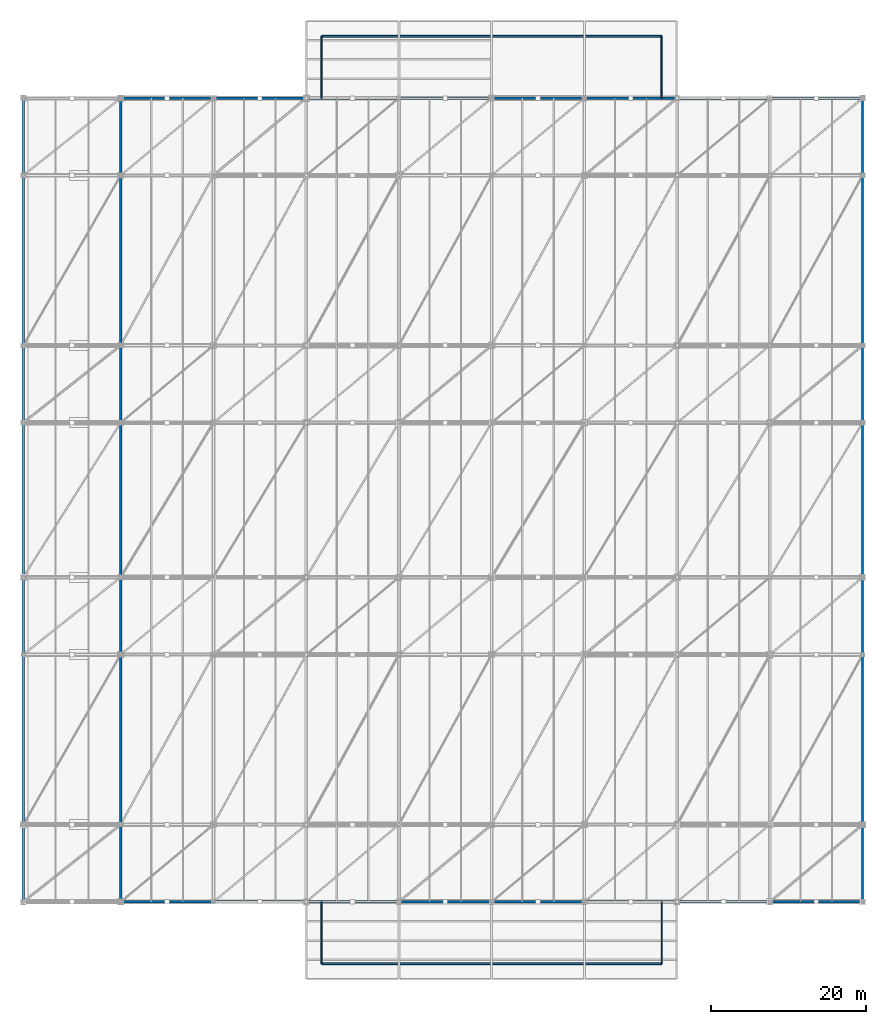
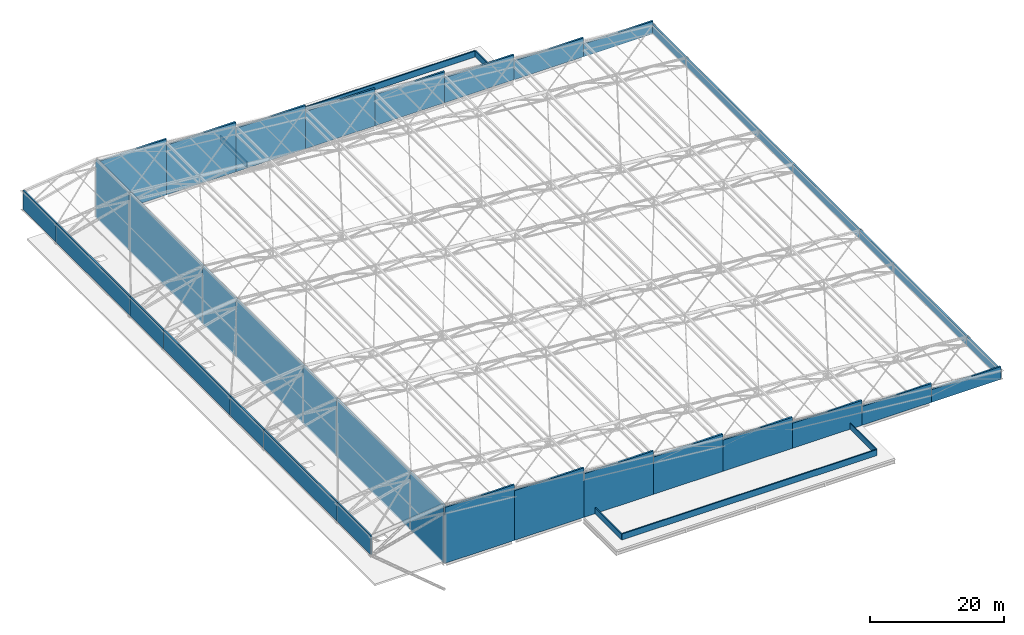
# One storey, part 43 of 44: 43 walls.
"""IFC4 building model written with IfcOpenShell, lengths in metres."""

import ifcopenshell
import ifcopenshell.guid

model = None  # the IFC model being written
_history = None  # IfcOwnerHistory: only IFC2X3 demands one
_inside = {}  # id of a spatial element -> (the spatial element, [elements in it])
_under = {}  # id of a project, library or spatial element -> (it, [spatial elements below it])
_declared = {}  # id of a project -> (the project, [libraries it declares])
_typed = {}  # id of a type object -> (the type object, [elements of that type])
_made_of = {}  # id of a material, layer set ... -> (it, [elements and type objects made of it])


def new_model(schema):
    """Start an empty IFC model of exactly this schema.

    Asked for "IFC4X3", IfcOpenShell would pick the latest addendum, in which some entities
    have other attributes; the version numbers below select the first issue.
    IFC2X3 requires an IfcOwnerHistory on every rooted entity: one is made here for all.
    """
    global model, _history
    if schema == "IFC4X3":
        model = ifcopenshell.file(schema_version=(4, 3, 0, 0))
    else:
        model = ifcopenshell.file(schema=schema)
    _inside.clear()
    _under.clear()
    _declared.clear()
    _typed.clear()
    _made_of.clear()
    _history = None
    if model.schema == "IFC2X3":
        org = make("IfcOrganization", Name="unknown")
        user = make(
            "IfcPersonAndOrganization",
            ThePerson=make("IfcPerson", FamilyName="unknown"),
            TheOrganization=org,
        )
        app = make(
            "IfcApplication",
            ApplicationDeveloper=org,
            Version="unknown",
            ApplicationFullName="unknown",
            ApplicationIdentifier="unknown",
        )
        _history = make(
            "IfcOwnerHistory",
            OwningUser=user,
            OwningApplication=app,
            ChangeAction="ADDED",
            CreationDate=0,
        )
    return model


def make(cls, **values):
    """One entity of the class cls with the attributes given. An attribute that is None is left unset."""
    return model.create_entity(
        cls, **{name: value for name, value in values.items() if value is not None}
    )


def rooted(cls, **values):
    """An entity with a GlobalId (a new one), such as an element, a storey or a relation."""
    return make(cls, GlobalId=ifcopenshell.guid.new(), OwnerHistory=_history, **values)


def si_unit(unit_type, name, prefix=None):
    """IfcSIUnit, for example si_unit("LENGTHUNIT", "METRE", prefix="MILLI")."""
    return make("IfcSIUnit", UnitType=unit_type, Prefix=prefix, Name=name)


def assignment(units):
    """IfcUnitAssignment: the units of a project."""
    return None if units is None else make("IfcUnitAssignment", Units=units)


def point(xyz):
    """IfcCartesianPoint."""
    return None if xyz is None else make("IfcCartesianPoint", Coordinates=xyz)


def direction(xyz):
    """IfcDirection."""
    return None if xyz is None else make("IfcDirection", DirectionRatios=xyz)


def frame(location, z_axis=None, x_axis=None):
    """IfcAxis2Placement3D, a coordinate frame: its origin and axes. An axis left out is left unset."""
    return make(
        "IfcAxis2Placement3D",
        Location=point(location),
        Axis=direction(z_axis),
        RefDirection=direction(x_axis),
    )


def frame_2d(location, x_axis=None):
    """IfcAxis2Placement2D, a coordinate frame in the plane: its origin and x axis."""
    return make(
        "IfcAxis2Placement2D", Location=point(location), RefDirection=direction(x_axis)
    )


def origin():
    """The frame at (0, 0, 0) with its axes left unset."""
    return frame((0.0, 0.0, 0.0))


def place(relative_to, where):
    """IfcLocalPlacement: puts the frame where relative to a parent placement (None: the world)."""
    return make(
        "IfcLocalPlacement", PlacementRelTo=relative_to, RelativePlacement=where
    )


def context(
    kind, dimensions, precision=None, world=None, true_north=None, identifier=None
):
    """IfcGeometricRepresentationContext, for example the 3D "Model" context."""
    return make(
        "IfcGeometricRepresentationContext",
        ContextIdentifier=identifier,
        ContextType=kind,
        CoordinateSpaceDimension=dimensions,
        Precision=precision,
        WorldCoordinateSystem=world,
        TrueNorth=true_north,
    )


def subcontext(parent, identifier, kind, view, scale=None):
    """IfcGeometricRepresentationSubContext, for example "Body" below "Model"."""
    return make(
        "IfcGeometricRepresentationSubContext",
        ContextIdentifier=identifier,
        ContextType=kind,
        ParentContext=parent,
        TargetScale=scale,
        TargetView=view,
    )


def project(units=None, contexts=None):
    """IfcProject with its units and contexts."""
    return rooted(
        "IfcProject",
        Name="project",
        RepresentationContexts=contexts,
        UnitsInContext=assignment(units),
    )


def spatial(cls, under=None, at=None, **own):
    """A site, building, storey or space (cls), placed at a placement, below another one or the project."""
    s = rooted(cls, ObjectPlacement=at, **own)
    if under is not None:
        _under.setdefault(under.id(), (under, []))[1].append(s)
    return s


def profile(cls, at=None, kind="AREA", **sizes):
    """A parametric profile (cls). Its sizes go by their IFC names, for example OverallWidth=200.0."""
    return make(cls, ProfileType=kind, Position=at, **sizes)


def rectangle(**sizes):
    """IfcRectangleProfileDef."""
    return profile("IfcRectangleProfileDef", **sizes)


def extrude(swept, where, along, depth):
    """IfcExtrudedAreaSolid: the profile swept, set in the frame where, extruded along a direction by depth."""
    return make(
        "IfcExtrudedAreaSolid",
        SweptArea=swept,
        Position=where,
        ExtrudedDirection=direction(along),
        Depth=depth,
    )


def shape(context_of_items, identifier, shape_type, items):
    """IfcShapeRepresentation: the items that make up one representation, for example the "Body"."""
    return make(
        "IfcShapeRepresentation",
        ContextOfItems=context_of_items,
        RepresentationIdentifier=identifier,
        RepresentationType=shape_type,
        Items=items,
    )


def material(Name=None, Category=None):
    """IfcMaterial."""
    return make("IfcMaterial", Name=Name, Category=Category)


def layer(
    of_material, thickness, ventilated=None, Name=None, Category=None, Priority=None
):
    """IfcMaterialLayer: one layer of a wall or slab, of a material (None: an air gap)."""
    return make(
        "IfcMaterialLayer",
        Material=of_material,
        LayerThickness=thickness,
        IsVentilated=ventilated,
        Name=Name,
        Category=Category,
        Priority=Priority,
    )


def layer_set(layers, Name=None):
    """IfcMaterialLayerSet."""
    return make("IfcMaterialLayerSet", MaterialLayers=layers, LayerSetName=Name)


def made_of(thing, what):
    """Note that an element or type object is made of a material, layer set ...; save() writes the relation."""
    if what is not None:
        _made_of.setdefault(what.id(), (what, []))[1].append(thing)
    return thing


def type_object(cls, material=None, **own):
    """A type object (cls), such as IfcWallType, which elements share."""
    return made_of(rooted(cls, **own), material)


def element(
    cls,
    number,
    at=None,
    inside=None,
    cuts=None,
    type_object=None,
    material=None,
    context=None,
    identifier="Body",
    shape_type=None,
    held_by="IfcProductDefinitionShape",
    body=None,
    shapes=None,
    **own,
):
    """One element of the class cls, such as IfcWall. Its Tag is "e" and its number.

    at: its placement. inside: the storey or other place that contains it. cuts: it is an
    opening in that element (IfcRelVoidsElement). A single representation is given by context,
    identifier, shape_type and body (its items); several are given by shapes. held_by: the class
    of the entity that holds the representations. save() writes the other relations.
    """
    e = rooted(cls, Tag="e%d" % number, ObjectPlacement=at, **own)
    if body is not None:
        shapes = [shape(context, identifier, shape_type, body)]
    if shapes is not None:
        e.Representation = make(held_by, Representations=shapes)
    if inside is not None:
        _inside.setdefault(inside.id(), (inside, []))[1].append(e)
    if cuts is not None:
        rooted(
            "IfcRelVoidsElement", RelatingBuildingElement=cuts, RelatedOpeningElement=e
        )
    if type_object is not None:
        _typed.setdefault(type_object.id(), (type_object, []))[1].append(e)
    return made_of(e, material)


def aggregate(whole, parts):
    """IfcRelAggregates: a whole, such as a stair, and the parts it consists of."""
    return rooted("IfcRelAggregates", RelatingObject=whole, RelatedObjects=parts)


def save(model, path):
    """Write the relations noted so far, then the file.

    IfcRelAggregates (storeys below a building ...), IfcRelContainedInSpatialStructure (elements
    in a storey), IfcRelDefinesByType, IfcRelAssociatesMaterial and IfcRelDeclares: one each for
    every whole, place, type object, material and project.
    """
    for whole, parts in _under.values():
        aggregate(whole, parts)
    for where, things in _inside.values():
        rooted(
            "IfcRelContainedInSpatialStructure",
            RelatedElements=things,
            RelatingStructure=where,
        )
    for kind, things in _typed.values():
        rooted("IfcRelDefinesByType", RelatedObjects=things, RelatingType=kind)
    for what, things in _made_of.values():
        rooted("IfcRelAssociatesMaterial", RelatedObjects=things, RelatingMaterial=what)
    for by, libraries in _declared.values():
        rooted("IfcRelDeclares", RelatingContext=by, RelatedDefinitions=libraries)
    model.write(path)


model = new_model("IFC4")

# Units and contexts
model_context = context("Model", 3, precision=1e-05, world=origin(), true_north=direction((0.0, 1.0)))
body_context = subcontext(model_context, "Body", "Model", "MODEL_VIEW")
ifc_project = project(units=[si_unit("LENGTHUNIT", "METRE"), si_unit("AREAUNIT", "SQUARE_METRE"), si_unit("VOLUMEUNIT", "CUBIC_METRE"), si_unit("PLANEANGLEUNIT", "RADIAN"), si_unit("MASSUNIT", "GRAM", prefix="KILO")], contexts=[model_context])

# Site, building, storey
site_placement = place(None, origin())
site = spatial("IfcSite", under=ifc_project, at=site_placement, CompositionType="ELEMENT")
building_placement = place(site_placement, origin())
building = spatial("IfcBuilding", under=site, at=building_placement, Name="Brinegate Civic Arena", CompositionType="ELEMENT")
storey_placement = place(building_placement, frame((0.0, 0.0, 29.39990234375)))
storey = spatial("IfcBuildingStorey", under=building, at=storey_placement, Name="RF", CompositionType="ELEMENT", Elevation=29.39990234375)

# Walls
ifc_material_1 = material(Name="Precast concrete C45/55", Category="concrete")
ifc_layer_1 = layer(ifc_material_1, 0.27001953125, Name="Precast concrete C45/55")
ifc_layer_set_1 = layer_set([ifc_layer_1], Name="Precast concrete C45/55")
wall_type_1 = type_object("IfcWallType", Name="WALL-EXT-PRECAST-270", PredefinedType="SOLIDWALL", material=ifc_layer_set_1)
wall_1_placement = place(storey_placement, frame((47.39990234375, 10.0, 5.9501953125), z_axis=(0.0, 0.0, 1.0), x_axis=(0.0, 1.0, 0.0)))
element("IfcWall", 1, at=wall_1_placement, inside=storey, type_object=wall_type_1, Name="Space-Frame Crown Wall EW-RF-WTIP-1 (WBA-45)", PredefinedType="SOLIDWALL", context=body_context, shape_type="SweptSolid", body=[
    extrude(rectangle(XDim=10.0, YDim=0.27001953125, at=frame_2d((5.0, 0.0))), origin(), (0.0, 0.0, 1.0), 3.449951171875),
])
wall_2_placement = place(storey_placement, frame((156.0, 10.0, 0.150146484375), z_axis=(0.0, 0.0, 1.0), x_axis=(0.0, 1.0, 0.0)))
element("IfcWall", 2, at=wall_2_placement, inside=storey, type_object=wall_type_1, Name="Space-Frame Crown Wall EW-RF-EDRM-1 (WBA-47)", PredefinedType="SOLIDWALL", context=body_context, shape_type="SweptSolid", body=[
    extrude(rectangle(XDim=10.0, YDim=0.27001953125, at=frame_2d((5.0, 0.0))), origin(), (0.0, 0.0, 1.0), 1.599853515625),
])
wall_3_placement = place(storey_placement, frame((47.39990234375, 20.0, 5.9501953125), z_axis=(0.0, 0.0, 1.0), x_axis=(0.0, 1.0, 0.0)))
element("IfcWall", 3, at=wall_3_placement, inside=storey, type_object=wall_type_1, Name="Space-Frame Crown Wall EW-RF-WTIP-2 (WBA-49)", PredefinedType="SOLIDWALL", context=body_context, shape_type="SweptSolid", body=[
    extrude(rectangle(XDim=22.0, YDim=0.27001953125, at=frame_2d((11.0, 0.0))), origin(), (0.0, 0.0, 1.0), 3.449951171875),
])
wall_4_placement = place(storey_placement, frame((156.0, 20.0, 0.150146484375), z_axis=(0.0, 0.0, 1.0), x_axis=(0.0, 1.0, 0.0)))
element("IfcWall", 4, at=wall_4_placement, inside=storey, type_object=wall_type_1, Name="Space-Frame Crown Wall EW-RF-EDRM-2 (WBA-51)", PredefinedType="SOLIDWALL", context=body_context, shape_type="SweptSolid", body=[
    extrude(rectangle(XDim=22.0, YDim=0.27001953125, at=frame_2d((11.0, 0.0))), origin(), (0.0, 0.0, 1.0), 1.599853515625),
])
wall_5_placement = place(storey_placement, frame((47.39990234375, 42.0, 5.9501953125), z_axis=(0.0, 0.0, 1.0), x_axis=(0.0, 1.0, 0.0)))
element("IfcWall", 5, at=wall_5_placement, inside=storey, type_object=wall_type_1, Name="Space-Frame Crown Wall EW-RF-WTIP-3 (WBA-53)", PredefinedType="SOLIDWALL", context=body_context, shape_type="SweptSolid", body=[
    extrude(rectangle(XDim=10.0, YDim=0.27001953125, at=frame_2d((5.0, 0.0))), origin(), (0.0, 0.0, 1.0), 3.449951171875),
])
wall_6_placement = place(storey_placement, frame((156.0, 42.0, 0.150146484375), z_axis=(0.0, 0.0, 1.0), x_axis=(0.0, 1.0, 0.0)))
element("IfcWall", 6, at=wall_6_placement, inside=storey, type_object=wall_type_1, Name="Space-Frame Crown Wall EW-RF-EDRM-3 (WBA-55)", PredefinedType="SOLIDWALL", context=body_context, shape_type="SweptSolid", body=[
    extrude(rectangle(XDim=10.0, YDim=0.27001953125, at=frame_2d((5.0, 0.0))), origin(), (0.0, 0.0, 1.0), 1.599853515625),
])
wall_7_placement = place(storey_placement, frame((47.39990234375, 52.0, 5.9501953125), z_axis=(0.0, 0.0, 1.0), x_axis=(0.0, 1.0, 0.0)))
element("IfcWall", 7, at=wall_7_placement, inside=storey, type_object=wall_type_1, Name="Space-Frame Crown Wall EW-RF-WTIP-4 (WBA-57)", PredefinedType="SOLIDWALL", context=body_context, shape_type="SweptSolid", body=[
    extrude(rectangle(XDim=20.0, YDim=0.27001953125, at=frame_2d((10.0, 0.0))), origin(), (0.0, 0.0, 1.0), 3.449951171875),
])
wall_8_placement = place(storey_placement, frame((156.0, 52.0, 0.150146484375), z_axis=(0.0, 0.0, 1.0), x_axis=(0.0, 1.0, 0.0)))
element("IfcWall", 8, at=wall_8_placement, inside=storey, type_object=wall_type_1, Name="Space-Frame Crown Wall EW-RF-EDRM-4 (WBA-59)", PredefinedType="SOLIDWALL", context=body_context, shape_type="SweptSolid", body=[
    extrude(rectangle(XDim=20.0, YDim=0.27001953125, at=frame_2d((10.0, 0.0))), origin(), (0.0, 0.0, 1.0), 1.599853515625),
])
wall_9_placement = place(storey_placement, frame((47.39990234375, 72.0, 5.9501953125), z_axis=(0.0, 0.0, 1.0), x_axis=(0.0, 1.0, 0.0)))
element("IfcWall", 9, at=wall_9_placement, inside=storey, type_object=wall_type_1, Name="Space-Frame Crown Wall EW-RF-WTIP-5 (WBA-61)", PredefinedType="SOLIDWALL", context=body_context, shape_type="SweptSolid", body=[
    extrude(rectangle(XDim=10.0, YDim=0.27001953125, at=frame_2d((5.0, 0.0))), origin(), (0.0, 0.0, 1.0), 3.449951171875),
])
wall_10_placement = place(storey_placement, frame((156.0, 72.0, 0.150146484375), z_axis=(0.0, 0.0, 1.0), x_axis=(0.0, 1.0, 0.0)))
element("IfcWall", 10, at=wall_10_placement, inside=storey, type_object=wall_type_1, Name="Space-Frame Crown Wall EW-RF-EDRM-5 (WBA-63)", PredefinedType="SOLIDWALL", context=body_context, shape_type="SweptSolid", body=[
    extrude(rectangle(XDim=10.0, YDim=0.27001953125, at=frame_2d((5.0, 0.0))), origin(), (0.0, 0.0, 1.0), 1.599853515625),
])
wall_11_placement = place(storey_placement, frame((47.39990234375, 82.0, 5.9501953125), z_axis=(0.0, 0.0, 1.0), x_axis=(0.0, 1.0, 0.0)))
element("IfcWall", 11, at=wall_11_placement, inside=storey, type_object=wall_type_1, Name="Space-Frame Crown Wall EW-RF-WTIP-6 (WBA-65)", PredefinedType="SOLIDWALL", context=body_context, shape_type="SweptSolid", body=[
    extrude(rectangle(XDim=22.0, YDim=0.27001953125, at=frame_2d((11.0, 0.0))), origin(), (0.0, 0.0, 1.0), 3.449951171875),
])
wall_12_placement = place(storey_placement, frame((156.0, 82.0, 0.150146484375), z_axis=(0.0, 0.0, 1.0), x_axis=(0.0, 1.0, 0.0)))
element("IfcWall", 12, at=wall_12_placement, inside=storey, type_object=wall_type_1, Name="Space-Frame Crown Wall EW-RF-EDRM-6 (WBA-67)", PredefinedType="SOLIDWALL", context=body_context, shape_type="SweptSolid", body=[
    extrude(rectangle(XDim=22.0, YDim=0.27001953125, at=frame_2d((11.0, 0.0))), origin(), (0.0, 0.0, 1.0), 1.599853515625),
])
wall_13_placement = place(storey_placement, frame((47.39990234375, 104.0, 5.9501953125), z_axis=(0.0, 0.0, 1.0), x_axis=(0.0, 1.0, 0.0)))
element("IfcWall", 13, at=wall_13_placement, inside=storey, type_object=wall_type_1, Name="Space-Frame Crown Wall EW-RF-WTIP-7 (WBA-69)", PredefinedType="SOLIDWALL", context=body_context, shape_type="SweptSolid", body=[
    extrude(rectangle(XDim=10.0, YDim=0.27001953125, at=frame_2d((5.0, 0.0))), origin(), (0.0, 0.0, 1.0), 3.449951171875),
])
wall_14_placement = place(storey_placement, frame((156.0, 104.0, 0.150146484375), z_axis=(0.0, 0.0, 1.0), x_axis=(0.0, 1.0, 0.0)))
element("IfcWall", 14, at=wall_14_placement, inside=storey, type_object=wall_type_1, Name="Space-Frame Crown Wall EW-RF-EDRM-7 (WBA-71)", PredefinedType="SOLIDWALL", context=body_context, shape_type="SweptSolid", body=[
    extrude(rectangle(XDim=10.0, YDim=0.27001953125, at=frame_2d((5.0, 0.0))), origin(), (0.0, 0.0, 1.0), 1.599853515625),
])
ifc_layer_2 = layer(ifc_material_1, 0.300048828125, Name="Precast concrete C45/55")
ifc_layer_set_2 = layer_set([ifc_layer_2], Name="Precast concrete C45/55")
wall_type_2 = type_object("IfcWallType", Name="WALL-EXT-PRECAST-300", PredefinedType="SOLIDWALL", material=ifc_layer_set_2)
wall_15_placement = place(storey_placement, frame((60.0, 10.0, 0.0), z_axis=(0.0, 0.0, 1.0), x_axis=(0.0, 1.0, 0.0)))
element("IfcWall", 15, at=wall_15_placement, inside=storey, type_object=wall_type_2, Name="Space-Frame Crown Wall EW-RF-WDRM-1 (WBA-46)", PredefinedType="SOLIDWALL", context=body_context, shape_type="SweptSolid", body=[
    extrude(rectangle(XDim=10.0, YDim=0.300048828125, at=frame_2d((5.0, 0.0))), origin(), (0.0, 0.0, 1.0), 10.60009765625),
])
wall_16_placement = place(storey_placement, frame((60.0, 20.0, 0.0), z_axis=(0.0, 0.0, 1.0), x_axis=(0.0, 1.0, 0.0)))
element("IfcWall", 16, at=wall_16_placement, inside=storey, type_object=wall_type_2, Name="Space-Frame Crown Wall EW-RF-WDRM-2 (WBA-50)", PredefinedType="SOLIDWALL", context=body_context, shape_type="SweptSolid", body=[
    extrude(rectangle(XDim=22.0, YDim=0.300048828125, at=frame_2d((11.0, 0.0))), origin(), (0.0, 0.0, 1.0), 10.60009765625),
])
wall_17_placement = place(storey_placement, frame((60.0, 42.0, 0.0), z_axis=(0.0, 0.0, 1.0), x_axis=(0.0, 1.0, 0.0)))
element("IfcWall", 17, at=wall_17_placement, inside=storey, type_object=wall_type_2, Name="Space-Frame Crown Wall EW-RF-WDRM-3 (WBA-54)", PredefinedType="SOLIDWALL", context=body_context, shape_type="SweptSolid", body=[
    extrude(rectangle(XDim=10.0, YDim=0.300048828125, at=frame_2d((5.0, 0.0))), origin(), (0.0, 0.0, 1.0), 10.60009765625),
])
wall_18_placement = place(storey_placement, frame((60.0, 52.0, 0.0), z_axis=(0.0, 0.0, 1.0), x_axis=(0.0, 1.0, 0.0)))
element("IfcWall", 18, at=wall_18_placement, inside=storey, type_object=wall_type_2, Name="Space-Frame Crown Wall EW-RF-WDRM-4 (WBA-58)", PredefinedType="SOLIDWALL", context=body_context, shape_type="SweptSolid", body=[
    extrude(rectangle(XDim=20.0, YDim=0.300048828125, at=frame_2d((10.0, 0.0))), origin(), (0.0, 0.0, 1.0), 10.60009765625),
])
wall_19_placement = place(storey_placement, frame((60.0, 72.0, 0.0), z_axis=(0.0, 0.0, 1.0), x_axis=(0.0, 1.0, 0.0)))
element("IfcWall", 19, at=wall_19_placement, inside=storey, type_object=wall_type_2, Name="Space-Frame Crown Wall EW-RF-WDRM-5 (WBA-62)", PredefinedType="SOLIDWALL", context=body_context, shape_type="SweptSolid", body=[
    extrude(rectangle(XDim=10.0, YDim=0.300048828125, at=frame_2d((5.0, 0.0))), origin(), (0.0, 0.0, 1.0), 10.60009765625),
])
wall_20_placement = place(storey_placement, frame((60.0, 82.0, 0.0), z_axis=(0.0, 0.0, 1.0), x_axis=(0.0, 1.0, 0.0)))
element("IfcWall", 20, at=wall_20_placement, inside=storey, type_object=wall_type_2, Name="Space-Frame Crown Wall EW-RF-WDRM-6 (WBA-66)", PredefinedType="SOLIDWALL", context=body_context, shape_type="SweptSolid", body=[
    extrude(rectangle(XDim=22.0, YDim=0.300048828125, at=frame_2d((11.0, 0.0))), origin(), (0.0, 0.0, 1.0), 10.60009765625),
])
wall_21_placement = place(storey_placement, frame((60.0, 104.0, 0.0), z_axis=(0.0, 0.0, 1.0), x_axis=(0.0, 1.0, 0.0)))
element("IfcWall", 21, at=wall_21_placement, inside=storey, type_object=wall_type_2, Name="Space-Frame Crown Wall EW-RF-WDRM-7 (WBA-70)", PredefinedType="SOLIDWALL", context=body_context, shape_type="SweptSolid", body=[
    extrude(rectangle(XDim=10.0, YDim=0.300048828125, at=frame_2d((5.0, 0.0))), origin(), (0.0, 0.0, 1.0), 10.60009765625),
])
ifc_layer_3 = layer(ifc_material_1, 0.31494140625, Name="Precast concrete C45/55")
ifc_layer_set_3 = layer_set([ifc_layer_3], Name="Precast concrete C45/55")
wall_type_3 = type_object("IfcWallType", Name="WALL-EXT-PRECAST-315", PredefinedType="SOLIDWALL", material=ifc_layer_set_3)
for number, where, z_axis, x_axis, name in (
    (22, (60.0, 10.0, 0.0), (0.0, 0.0, 1.0), (1.0, 0.0, 0.0), "Space-Frame Crown Wall EW-RF-GBL-S01 (WBA-73)"),
    (23, (60.0, 114.0, 0.0), (0.0, 0.0, 1.0), (1.0, 0.0, 0.0), "Space-Frame Crown Wall EW-RF-GBL-N01 (WBA-74)"),
):
    element("IfcWall", number, at=place(storey_placement, frame(where, z_axis=z_axis, x_axis=x_axis)), inside=storey, type_object=wall_type_3, Name=name, PredefinedType="SOLIDWALL", context=body_context, shape_type="SweptSolid", body=[
        extrude(rectangle(XDim=12.0, YDim=0.31494140625, at=frame_2d((6.0, 0.0))), origin(), (0.0, 0.0, 1.0), 10.18798828125),
    ])
for number, where, z_axis, x_axis, name in (
    (24, (72.0, 10.0, 0.0), (0.0, 0.0, 1.0), (1.0, 0.0, 0.0), "Space-Frame Crown Wall EW-RF-GBL-S02 (WBA-75)"),
    (25, (72.0, 114.0, 0.0), (0.0, 0.0, 1.0), (1.0, 0.0, 0.0), "Space-Frame Crown Wall EW-RF-GBL-N02 (WBA-76)"),
):
    element("IfcWall", number, at=place(storey_placement, frame(where, z_axis=z_axis, x_axis=x_axis)), inside=storey, type_object=wall_type_3, Name=name, PredefinedType="SOLIDWALL", context=body_context, shape_type="SweptSolid", body=[
        extrude(rectangle(XDim=12.0, YDim=0.31494140625, at=frame_2d((6.0, 0.0))), origin(), (0.0, 0.0, 1.0), 9.06298828125),
    ])
for number, where, z_axis, x_axis, name in (
    (26, (84.0, 10.0, 0.0), (0.0, 0.0, 1.0), (1.0, 0.0, 0.0), "Space-Frame Crown Wall EW-RF-GBL-S03 (WBA-77)"),
    (27, (84.0, 114.0, 0.0), (0.0, 0.0, 1.0), (1.0, 0.0, 0.0), "Space-Frame Crown Wall EW-RF-GBL-N03 (WBA-78)"),
):
    element("IfcWall", number, at=place(storey_placement, frame(where, z_axis=z_axis, x_axis=x_axis)), inside=storey, type_object=wall_type_3, Name=name, PredefinedType="SOLIDWALL", context=body_context, shape_type="SweptSolid", body=[
        extrude(rectangle(XDim=12.0, YDim=0.31494140625, at=frame_2d((6.0, 0.0))), origin(), (0.0, 0.0, 1.0), 7.93798828125),
    ])
for number, where, z_axis, x_axis, name in (
    (28, (96.0, 10.0, 0.0), (0.0, 0.0, 1.0), (1.0, 0.0, 0.0), "Space-Frame Crown Wall EW-RF-GBL-S04 (WBA-79)"),
    (29, (96.0, 114.0, 0.0), (0.0, 0.0, 1.0), (1.0, 0.0, 0.0), "Space-Frame Crown Wall EW-RF-GBL-N04 (WBA-80)"),
):
    element("IfcWall", number, at=place(storey_placement, frame(where, z_axis=z_axis, x_axis=x_axis)), inside=storey, type_object=wall_type_3, Name=name, PredefinedType="SOLIDWALL", context=body_context, shape_type="SweptSolid", body=[
        extrude(rectangle(XDim=12.0, YDim=0.31494140625, at=frame_2d((6.0, 0.0))), origin(), (0.0, 0.0, 1.0), 6.81298828125),
    ])
for number, where, z_axis, x_axis, name in (
    (30, (108.0, 10.0, 0.0), (0.0, 0.0, 1.0), (1.0, 0.0, 0.0), "Space-Frame Crown Wall EW-RF-GBL-S05 (WBA-81)"),
    (31, (108.0, 114.0, 0.0), (0.0, 0.0, 1.0), (1.0, 0.0, 0.0), "Space-Frame Crown Wall EW-RF-GBL-N05 (WBA-82)"),
):
    element("IfcWall", number, at=place(storey_placement, frame(where, z_axis=z_axis, x_axis=x_axis)), inside=storey, type_object=wall_type_3, Name=name, PredefinedType="SOLIDWALL", context=body_context, shape_type="SweptSolid", body=[
        extrude(rectangle(XDim=12.0, YDim=0.31494140625, at=frame_2d((6.0, 0.0))), origin(), (0.0, 0.0, 1.0), 5.68798828125),
    ])
for number, where, z_axis, x_axis, name in (
    (32, (120.0, 10.0, 0.0), (0.0, 0.0, 1.0), (1.0, 0.0, 0.0), "Space-Frame Crown Wall EW-RF-GBL-S06 (WBA-83)"),
    (33, (120.0, 114.0, 0.0), (0.0, 0.0, 1.0), (1.0, 0.0, 0.0), "Space-Frame Crown Wall EW-RF-GBL-N06 (WBA-85)"),
):
    element("IfcWall", number, at=place(storey_placement, frame(where, z_axis=z_axis, x_axis=x_axis)), inside=storey, type_object=wall_type_3, Name=name, PredefinedType="SOLIDWALL", context=body_context, shape_type="SweptSolid", body=[
        extrude(rectangle(XDim=12.0, YDim=0.31494140625, at=frame_2d((6.0, 0.0))), origin(), (0.0, 0.0, 1.0), 4.56298828125),
    ])
for number, where, z_axis, x_axis, name in (
    (34, (132.0, 10.0, 0.0), (0.0, 0.0, 1.0), (1.0, 0.0, 0.0), "Space-Frame Crown Wall EW-RF-GBL-S07 (WBA-87)"),
    (35, (132.0, 114.0, 0.0), (0.0, 0.0, 1.0), (1.0, 0.0, 0.0), "Space-Frame Crown Wall EW-RF-GBL-N07 (WBA-89)"),
):
    element("IfcWall", number, at=place(storey_placement, frame(where, z_axis=z_axis, x_axis=x_axis)), inside=storey, type_object=wall_type_3, Name=name, PredefinedType="SOLIDWALL", context=body_context, shape_type="SweptSolid", body=[
        extrude(rectangle(XDim=12.0, YDim=0.31494140625, at=frame_2d((6.0, 0.0))), origin(), (0.0, 0.0, 1.0), 3.43798828125),
    ])
for number, where, z_axis, x_axis, name in (
    (36, (144.0, 10.0, 0.0), (0.0, 0.0, 1.0), (1.0, 0.0, 0.0), "Space-Frame Crown Wall EW-RF-GBL-S08 (WBA-91)"),
    (37, (144.0, 114.0, 0.0), (0.0, 0.0, 1.0), (1.0, 0.0, 0.0), "Space-Frame Crown Wall EW-RF-GBL-N08 (WBA-93)"),
):
    element("IfcWall", number, at=place(storey_placement, frame(where, z_axis=z_axis, x_axis=x_axis)), inside=storey, type_object=wall_type_3, Name=name, PredefinedType="SOLIDWALL", context=body_context, shape_type="SweptSolid", body=[
        extrude(rectangle(XDim=12.0, YDim=0.31494140625, at=frame_2d((6.0, 0.0))), origin(), (0.0, 0.0, 1.0), 2.31298828125),
    ])
ifc_material_2 = material(Name="Concrete C40/50", Category="concrete")
ifc_layer_4 = layer(ifc_material_2, 0.1650390625, Name="Concrete C40/50")
ifc_layer_set_4 = layer_set([ifc_layer_4], Name="Concrete C40/50")
wall_type_4 = type_object("IfcWallType", Name="WALL-PARAPET-165", PredefinedType="PARAPET", material=ifc_layer_set_4)
wall_22_placement = place(storey_placement, frame((130.0, 2.0, 0.0), z_axis=(0.0, 0.0, 1.0), x_axis=(0.0, 1.0, 0.0)))
element("IfcWall", 38, at=wall_22_placement, inside=storey, type_object=wall_type_4, Name="Roof Parapet Wall PW-RF-06 (WBB-01)", PredefinedType="PARAPET", context=body_context, shape_type="SweptSolid", body=[
    extrude(rectangle(XDim=8.0, YDim=0.1650390625, at=frame_2d((4.0, 0.0))), origin(), (0.0, 0.0, 1.0), 1.10009765625),
])
ifc_layer_5 = layer(ifc_material_2, 0.179931640625, Name="Concrete C40/50")
ifc_layer_set_5 = layer_set([ifc_layer_5], Name="Concrete C40/50")
wall_type_5 = type_object("IfcWallType", Name="WALL-PARAPET-180", PredefinedType="PARAPET", material=ifc_layer_set_5)
wall_23_placement = place(storey_placement, frame((86.0, 2.0, 0.0), z_axis=(0.0, 0.0, 1.0), x_axis=(0.0, 1.0, 0.0)))
element("IfcWall", 39, at=wall_23_placement, inside=storey, type_object=wall_type_5, Name="Roof Parapet Wall PW-RF-05 (WBA-99)", PredefinedType="PARAPET", context=body_context, shape_type="SweptSolid", body=[
    extrude(rectangle(XDim=8.0, YDim=0.179931640625, at=frame_2d((4.0, 0.0))), origin(), (0.0, 0.0, 1.0), 1.10009765625),
])
ifc_layer_6 = layer(ifc_material_2, 0.199951171875, Name="Concrete C40/50")
ifc_layer_set_6 = layer_set([ifc_layer_6], Name="Concrete C40/50")
wall_type_6 = type_object("IfcWallType", Name="WALL-PARAPET-200", PredefinedType="PARAPET", material=ifc_layer_set_6)
for number, where, z_axis, x_axis, name in (
    (40, (86.0, 114.0, 0.0), (0.0, 0.0, 1.0), (0.0, 1.0, 0.0), "Roof Parapet Wall PW-RF-03 (WBA-97)"),
    (41, (130.0, 114.0, 0.0), (0.0, 0.0, 1.0), (0.0, 1.0, 0.0), "Roof Parapet Wall PW-RF-04 (WBA-98)"),
):
    element("IfcWall", number, at=place(storey_placement, frame(where, z_axis=z_axis, x_axis=x_axis)), inside=storey, type_object=wall_type_6, Name=name, PredefinedType="PARAPET", context=body_context, shape_type="SweptSolid", body=[
        extrude(rectangle(XDim=8.0, YDim=0.199951171875, at=frame_2d((4.0, 0.0))), origin(), (0.0, 0.0, 1.0), 1.10009765625),
    ])
ifc_layer_7 = layer(ifc_material_2, 0.219970703125, Name="Concrete C40/50")
ifc_layer_set_7 = layer_set([ifc_layer_7], Name="Concrete C40/50")
wall_type_7 = type_object("IfcWallType", Name="WALL-PARAPET-220", PredefinedType="PARAPET", material=ifc_layer_set_7)
for number, where, z_axis, x_axis, name in (
    (42, (86.0, 122.0, 0.0), (0.0, 0.0, 1.0), (1.0, 0.0, 0.0), "Roof Parapet Wall PW-RF-01 (WBA-95)"),
    (43, (86.0, 2.0, 0.0), (0.0, 0.0, 1.0), (1.0, 0.0, 0.0), "Roof Parapet Wall PW-RF-02 (WBA-96)"),
):
    element("IfcWall", number, at=place(storey_placement, frame(where, z_axis=z_axis, x_axis=x_axis)), inside=storey, type_object=wall_type_7, Name=name, PredefinedType="PARAPET", context=body_context, shape_type="SweptSolid", body=[
        extrude(rectangle(XDim=44.0, YDim=0.219970703125, at=frame_2d((22.0, 0.0))), origin(), (0.0, 0.0, 1.0), 1.10009765625),
    ])

save(model, "model.ifc")
